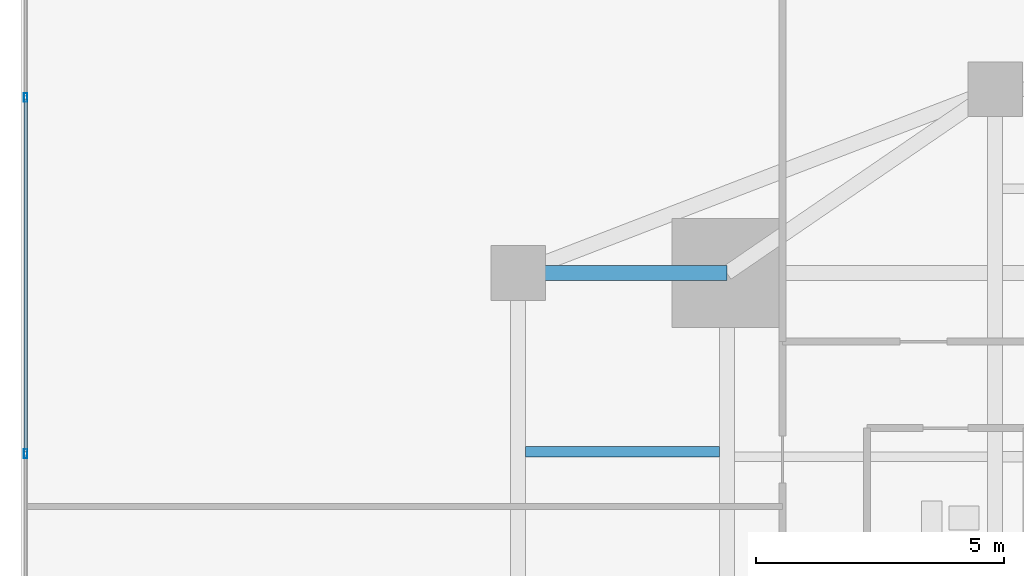
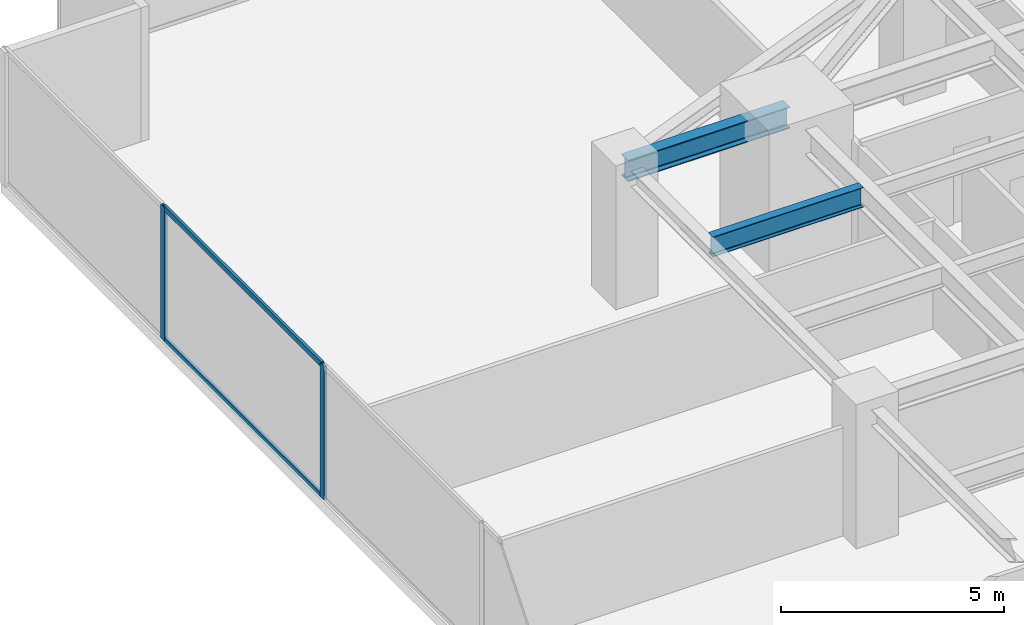
# One storey, part 15 of 28: 4 members, 2 beams, 1 element without a shape of its own.
"""IFC4 building model written with IfcOpenShell, lengths in metres."""

from ifc_helpers import new_model, si_unit, direction, frame, origin, origin_2d, place, context, subcontext, project, spatial, hollow_rectangle, i_section, extrude, source, transform, mapped, material, material_profile, profile_set, type_object, type_shapes, element, aggregate, save


model = new_model("IFC4")

# Units and contexts
model_context = context("Model", 3, precision=1e-05, world=origin(), true_north=direction((0.0, 1.0)))
body_context = subcontext(model_context, "Body", "Model", "MODEL_VIEW")
ifc_project = project(units=[si_unit("LENGTHUNIT", "METRE"), si_unit("AREAUNIT", "SQUARE_METRE"), si_unit("VOLUMEUNIT", "CUBIC_METRE"), si_unit("PLANEANGLEUNIT", "RADIAN"), si_unit("MASSUNIT", "GRAM", prefix="KILO")], contexts=[model_context])

# Site, building, storey
site_placement = place(None, origin())
site = spatial("IfcSite", under=ifc_project, at=site_placement, CompositionType="ELEMENT")
building_placement = place(site_placement, origin())
building = spatial("IfcBuilding", under=site, at=building_placement, Name="Krantzveldt Concourse Tower", CompositionType="ELEMENT")
storey_placement = place(building_placement, frame((0.0, 0.0, 32.89990234375)))
storey = spatial("IfcBuildingStorey", under=building, at=storey_placement, Name="L07", CompositionType="ELEMENT", Elevation=32.89990234375)

# Beams
ifc_material_1 = material(Name="Steel S355JR", Category="steel")
ifc_material_profile_1 = material_profile(ifc_material_1, i_section(OverallWidth=0.300048828125, OverallDepth=0.590087890625, WebThickness=0.012939453125, FlangeThickness=0.02490234375, FilletRadius=0.027099609375, at=origin_2d()), Name="Steel S355JR", Category="steel")
ifc_profile_set_1 = profile_set([ifc_material_profile_1], Name="Steel S355JR - HEA 600")
beam_type_1 = type_object("IfcBeamType", Name="BM-B-HEA600", PredefinedType="BEAM", material=ifc_profile_set_1)
shared_shape_1 = source(origin(), body_context, "Body", "SweptSolid", [
    extrude(i_section(OverallWidth=0.300048828125, OverallDepth=0.590087890625, WebThickness=0.012939453125, FlangeThickness=0.02490234375, FilletRadius=0.027099609375, at=origin_2d()), origin(), (0.0, 0.0, 1.0), 4.199951171875),
])
type_shapes(beam_type_1, [shared_shape_1])
beam_1_placement = place(storey_placement, frame((21.0, 37.5, 3.375), z_axis=(1.0, 0.0, 0.0), x_axis=(0.0, 1.0, 0.0)))
element("IfcBeam", 1, at=beam_1_placement, inside=storey, type_object=beam_type_1, Name="L07 Tower Girder BR-RL3", PredefinedType="BEAM", context=body_context, shape_type="MappedRepresentation", body=[
    mapped(shared_shape_1, transform((0.0, 0.0, 0.0), x_axis=(1.0, 0.0, 0.0), y_axis=(0.0, 1.0, 0.0), z_axis=(0.0, 0.0, 1.0), scale=1.0)),
])
ifc_material_profile_2 = material_profile(ifc_material_1, i_section(OverallWidth=0.2099609375, OverallDepth=0.550048828125, WebThickness=0.010986328125, FlangeThickness=0.01708984375, FilletRadius=0.02392578125, at=origin_2d()), Name="Steel S355JR", Category="steel")
ifc_profile_set_2 = profile_set([ifc_material_profile_2], Name="Steel S355JR - IPE 550")
beam_type_2 = type_object("IfcBeamType", Name="BM-J-IPE550", PredefinedType="JOIST", material=ifc_profile_set_2)
shared_shape_2 = source(origin(), body_context, "Body", "SweptSolid", [
    extrude(i_section(OverallWidth=0.2099609375, OverallDepth=0.550048828125, WebThickness=0.010986328125, FlangeThickness=0.01708984375, FilletRadius=0.02392578125, at=origin_2d()), origin(), (0.0, 0.0, 1.0), 3.900146484375),
])
type_shapes(beam_type_2, [shared_shape_2])
beam_2_placement = place(storey_placement, frame((21.14990234375, 33.89990234375, 3.39501953125), z_axis=(1.0, 0.0, 0.0), x_axis=(0.0, 1.0, 0.0)))
element("IfcBeam", 2, at=beam_2_placement, inside=storey, type_object=beam_type_2, Name="L07 Secondary Floor Joist JW-4", PredefinedType="JOIST", context=body_context, shape_type="MappedRepresentation", body=[
    mapped(shared_shape_2, transform((0.0, 0.0, 0.0), x_axis=(1.0, 0.0, 0.0), y_axis=(0.0, 1.0, 0.0), z_axis=(0.0, 0.0, 1.0), scale=1.0)),
])

# Curtain wall, members
ifc_material_2 = material(Name="Anodised aluminium 6063-T6", Category="aluminium")
curtain_wall_type = type_object("IfcCurtainWallType", Name="CW2", PredefinedType="USERDEFINED", material=ifc_material_2)
curtain_wall_placement = place(storey_placement, origin())
curtain_wall = element("IfcCurtainWall", 3, at=curtain_wall_placement, inside=storey, type_object=curtain_wall_type, Name="CW-L07-F01", ObjectType="UNITISED CURTAIN WALL", PredefinedType="USERDEFINED")
ifc_material_profile_3 = material_profile(ifc_material_2, hollow_rectangle(XDim=0.070068359375, YDim=0.139892578125, WallThickness=0.0048828125, at=origin_2d()), Name="Anodised aluminium 6063-T6", Category="aluminium")
ifc_profile_set_3 = profile_set([ifc_material_profile_3], Name="Anodised aluminium 6063-T6 - ALU-TRAN 140x70x5")
member_type_1 = type_object("IfcMemberType", Name="CW-TRN-150", PredefinedType="USERDEFINED", material=ifc_profile_set_3)
shared_shape_3 = source(origin(), body_context, "Body", "SweptSolid", [
    extrude(hollow_rectangle(XDim=0.070068359375, YDim=0.139892578125, WallThickness=0.0048828125, at=origin_2d()), origin(), (0.0, 0.0, 1.0), 7.0966796875),
])
type_shapes(member_type_1, [shared_shape_3])
member_1_placement = place(storey_placement, frame((11.090087890625, 40.998291015625, 0.03515625), z_axis=(0.0, -1.0, 0.0), x_axis=(1.0, 0.0, 0.0)))
member_1 = element("IfcMember", 4, at=member_1_placement, type_object=member_type_1, Name="CW-Z12 transom 2.1", ObjectType="TRANSOM", PredefinedType="USERDEFINED", context=body_context, shape_type="MappedRepresentation", body=[
    mapped(shared_shape_3, transform((0.0, 0.0, 0.0), x_axis=(1.0, 0.0, 0.0), y_axis=(0.0, 1.0, 0.0), z_axis=(0.0, 0.0, 1.0), scale=1.0)),
])
member_2_placement = place(storey_placement, frame((11.090087890625, 40.998291015625, 3.635009765625), z_axis=(0.0, -1.0, 0.0), x_axis=(1.0, 0.0, 0.0)))
member_2 = element("IfcMember", 5, at=member_2_placement, type_object=member_type_1, Name="CW-Z12 transom 2.2", ObjectType="TRANSOM", PredefinedType="USERDEFINED", context=body_context, shape_type="MappedRepresentation", body=[
    mapped(shared_shape_3, transform((0.0, 0.0, 0.0), x_axis=(1.0, 0.0, 0.0), y_axis=(0.0, 1.0, 0.0), z_axis=(0.0, 0.0, 1.0), scale=1.0)),
])
ifc_material_profile_4 = material_profile(ifc_material_2, hollow_rectangle(XDim=0.070068359375, YDim=0.179931640625, WallThickness=0.0048828125, at=origin_2d()), Name="Anodised aluminium 6063-T6", Category="aluminium")
ifc_profile_set_4 = profile_set([ifc_material_profile_4], Name="Anodised aluminium 6063-T6 - ALU-MULL 180x70x5")
member_type_2 = type_object("IfcMemberType", Name="CW-MUL-180", PredefinedType="MULLION", material=ifc_profile_set_4)
shared_shape_4 = source(origin(), body_context, "Body", "SweptSolid", [
    extrude(hollow_rectangle(XDim=0.070068359375, YDim=0.179931640625, WallThickness=0.0048828125, at=origin_2d()), origin(), (0.0, 0.0, 1.0), 3.670166015625),
])
type_shapes(member_type_2, [shared_shape_4])
member_3_placement = place(storey_placement, frame((11.090087890625, 41.033447265625, 0.0), z_axis=(0.0, 0.0, 1.0), x_axis=(1.0, 0.0, 0.0)))
member_3 = element("IfcMember", 6, at=member_3_placement, type_object=member_type_2, Name="CW-Z12 mullion 2", PredefinedType="MULLION", context=body_context, shape_type="MappedRepresentation", body=[
    mapped(shared_shape_4, transform((0.0, 0.0, 0.0), x_axis=(1.0, 0.0, 0.0), y_axis=(0.0, 1.0, 0.0), z_axis=(0.0, 0.0, 1.0), scale=1.0)),
])
member_4_placement = place(storey_placement, frame((11.090087890625, 33.86669921875, 0.0), z_axis=(0.0, 0.0, 1.0), x_axis=(1.0, 0.0, 0.0)))
member_4 = element("IfcMember", 7, at=member_4_placement, type_object=member_type_2, Name="CW-Z12 mullion 3", PredefinedType="MULLION", context=body_context, shape_type="MappedRepresentation", body=[
    mapped(shared_shape_4, transform((0.0, 0.0, 0.0), x_axis=(1.0, 0.0, 0.0), y_axis=(0.0, 1.0, 0.0), z_axis=(0.0, 0.0, 1.0), scale=1.0)),
])
aggregate(curtain_wall, [member_3, member_4, member_1, member_2])

save(model, "model.ifc")
